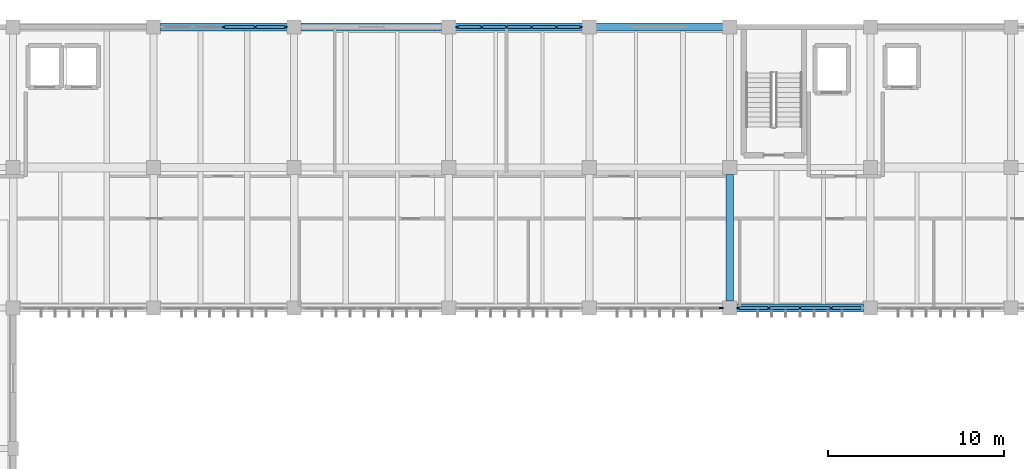
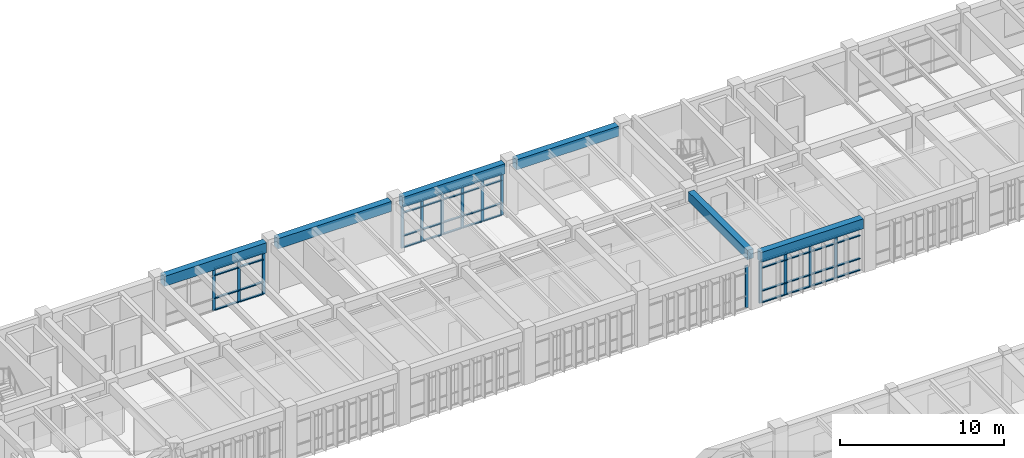
# One storey, part 20 of 67: 58 members, 6 beams, 4 elements without a shape of their own.
"""IFC4 building model written with IfcOpenShell, lengths in metres."""

from ifc_helpers import new_model, si_unit, direction, frame, origin, origin_2d, place, context, subcontext, project, spatial, rectangle, extrude, material, material_profile, profile_set, type_object, element, aggregate, save


model = new_model("IFC4")

# Units and contexts
model_context = context("Model", 3, precision=1e-05, world=origin(), true_north=direction((0.0, 1.0)))
body_context = subcontext(model_context, "Body", "Model", "MODEL_VIEW")
ifc_project = project(units=[si_unit("LENGTHUNIT", "METRE"), si_unit("AREAUNIT", "SQUARE_METRE"), si_unit("VOLUMEUNIT", "CUBIC_METRE"), si_unit("PLANEANGLEUNIT", "RADIAN"), si_unit("MASSUNIT", "GRAM", prefix="KILO")], contexts=[model_context])

# Site, building, storey
site_placement = place(None, origin())
site = spatial("IfcSite", under=ifc_project, at=site_placement, CompositionType="ELEMENT")
building_placement = place(site_placement, origin())
building = spatial("IfcBuilding", under=site, at=building_placement, Name="Tlaxcora Railside Police Headquarters", CompositionType="ELEMENT")
storey_placement = place(building_placement, frame((0.0, 0.0, 4.800048828125)))
storey = spatial("IfcBuildingStorey", under=building, at=storey_placement, Name="L01", CompositionType="ELEMENT", Elevation=4.800048828125)

# Curtain wall, member
ifc_material_1 = material(Name="Thermally broken low-E insulated glazing", Category="glass")
curtain_wall_type_1 = type_object("IfcCurtainWallType", Name="Unitised Curtain Wall Assembly CW-23", PredefinedType="NOTDEFINED", material=ifc_material_1)
curtain_wall_1_placement = place(storey_placement, origin())
curtain_wall_1 = element("IfcCurtainWall", 1, at=curtain_wall_1_placement, inside=storey, type_object=curtain_wall_type_1, Name="V5 L01 curtain wall 36", PredefinedType="NOTDEFINED")
ifc_material_2 = material(Name="Anodised aluminium framing", Category="aluminium")
ifc_material_profile_1 = material_profile(ifc_material_2, rectangle(XDim=0.080078125, YDim=0.219970703125, at=origin_2d()), Name="AL80X220")
ifc_profile_set_1 = profile_set([ifc_material_profile_1], Name="Anodised aluminium framing")
member_type_1 = type_object("IfcMemberType", Name="Curtain Wall Mullion CW-31", PredefinedType="MULLION", material=ifc_profile_set_1)
member_1_placement = place(storey_placement, frame((69.510009765625, 76.800048828125, 0.0), z_axis=(0.0, 0.0, 1.0), x_axis=(0.0, 1.0, 0.0)))
member_1 = element("IfcMember", 2, at=member_1_placement, type_object=member_type_1, Name="CW mullion 6", PredefinedType="MULLION", context=body_context, shape_type="SweptSolid", body=[
    extrude(rectangle(XDim=0.080078125, YDim=0.219970703125, at=origin_2d()), origin(), (0.0, 0.0, 1.0), 3.139892578125),
])
aggregate(curtain_wall_1, [member_1])

# Curtain wall, members
curtain_wall_type_2 = type_object("IfcCurtainWallType", Name="Unitised Curtain Wall Assembly CW-38", PredefinedType="NOTDEFINED", material=ifc_material_1)
curtain_wall_2_placement = place(storey_placement, origin())
curtain_wall_2 = element("IfcCurtainWall", 3, at=curtain_wall_2_placement, inside=storey, type_object=curtain_wall_type_2, Name="V5 L01 curtain wall 37", PredefinedType="NOTDEFINED")
ifc_material_profile_2 = material_profile(ifc_material_2, rectangle(XDim=0.074951171875, YDim=0.205078125, at=origin_2d()), Name="AL75X205")
ifc_profile_set_2 = profile_set([ifc_material_profile_2], Name="Anodised aluminium framing")
member_type_2 = type_object("IfcMemberType", Name="Curtain Wall Mullion CW-32", PredefinedType="MULLION", material=ifc_profile_set_2)
member_2_placement = place(storey_placement, frame((70.487548828125, 76.800048828125, 0.0), z_axis=(0.0, 0.0, 1.0), x_axis=(0.0, 1.0, 0.0)))
member_2 = element("IfcMember", 4, at=member_2_placement, type_object=member_type_2, Name="CW mullion 1", PredefinedType="MULLION", context=body_context, shape_type="SweptSolid", body=[
    extrude(rectangle(XDim=0.074951171875, YDim=0.205078125, at=origin_2d()), origin(), (0.0, 0.0, 1.0), 3.139892578125),
])
member_3_placement = place(storey_placement, frame((72.22509765625, 76.800048828125, 0.0), z_axis=(0.0, 0.0, 1.0), x_axis=(0.0, 1.0, 0.0)))
member_3 = element("IfcMember", 5, at=member_3_placement, type_object=member_type_2, Name="CW mullion 2", PredefinedType="MULLION", context=body_context, shape_type="SweptSolid", body=[
    extrude(rectangle(XDim=0.074951171875, YDim=0.205078125, at=origin_2d()), origin(), (0.0, 0.0, 1.0), 3.139892578125),
])
member_4_placement = place(storey_placement, frame((74.0, 76.800048828125, 0.0), z_axis=(0.0, 0.0, 1.0), x_axis=(0.0, 1.0, 0.0)))
member_4 = element("IfcMember", 6, at=member_4_placement, type_object=member_type_2, Name="CW mullion 3", PredefinedType="MULLION", context=body_context, shape_type="SweptSolid", body=[
    extrude(rectangle(XDim=0.074951171875, YDim=0.205078125, at=origin_2d()), origin(), (0.0, 0.0, 1.0), 3.139892578125),
])
member_5_placement = place(storey_placement, frame((75.77490234375, 76.800048828125, 0.0), z_axis=(0.0, 0.0, 1.0), x_axis=(0.0, 1.0, 0.0)))
member_5 = element("IfcMember", 7, at=member_5_placement, type_object=member_type_2, Name="CW mullion 4", PredefinedType="MULLION", context=body_context, shape_type="SweptSolid", body=[
    extrude(rectangle(XDim=0.074951171875, YDim=0.205078125, at=origin_2d()), origin(), (0.0, 0.0, 1.0), 3.139892578125),
])

curtain_wall_type_3 = type_object("IfcCurtainWallType", Name="Unitised Curtain Wall Assembly CW-15", PredefinedType="NOTDEFINED", material=ifc_material_1)
curtain_wall_3_placement = place(storey_placement, origin())
curtain_wall_3 = element("IfcCurtainWall", 8, at=curtain_wall_3_placement, inside=storey, type_object=curtain_wall_type_3, Name="V5 L01 curtain wall 42", PredefinedType="NOTDEFINED")
ifc_material_profile_3 = material_profile(ifc_material_2, rectangle(XDim=0.074951171875, YDim=0.199951171875, at=origin_2d()), Name="AL75X200")
ifc_profile_set_3 = profile_set([ifc_material_profile_3], Name="Anodised aluminium framing")
member_type_3 = type_object("IfcMemberType", Name="Curtain Wall Mullion CW-58", PredefinedType="MULLION", material=ifc_profile_set_3)
member_6_placement = place(storey_placement, frame((61.512451171875, 92.800048828125, 0.0), z_axis=(0.0, 0.0, 1.0), x_axis=(0.0, -1.0, 0.0)))
member_6 = element("IfcMember", 9, at=member_6_placement, type_object=member_type_3, Name="CW mullion 1", PredefinedType="MULLION", context=body_context, shape_type="SweptSolid", body=[
    extrude(rectangle(XDim=0.074951171875, YDim=0.199951171875, at=origin_2d()), origin(), (0.0, 0.0, 1.0), 3.139892578125),
])
member_7_placement = place(storey_placement, frame((60.1298828125, 92.800048828125, 0.0), z_axis=(0.0, 0.0, 1.0), x_axis=(0.0, -1.0, 0.0)))
member_7 = element("IfcMember", 10, at=member_7_placement, type_object=member_type_3, Name="CW mullion 2", PredefinedType="MULLION", context=body_context, shape_type="SweptSolid", body=[
    extrude(rectangle(XDim=0.074951171875, YDim=0.199951171875, at=origin_2d()), origin(), (0.0, 0.0, 1.0), 3.139892578125),
])
member_8_placement = place(storey_placement, frame((58.7099609375, 92.800048828125, 0.0), z_axis=(0.0, 0.0, 1.0), x_axis=(0.0, -1.0, 0.0)))
member_8 = element("IfcMember", 11, at=member_8_placement, type_object=member_type_3, Name="CW mullion 3", PredefinedType="MULLION", context=body_context, shape_type="SweptSolid", body=[
    extrude(rectangle(XDim=0.074951171875, YDim=0.199951171875, at=origin_2d()), origin(), (0.0, 0.0, 1.0), 3.139892578125),
])
member_9_placement = place(storey_placement, frame((57.2900390625, 92.800048828125, 0.0), z_axis=(0.0, 0.0, 1.0), x_axis=(0.0, -1.0, 0.0)))
member_9 = element("IfcMember", 12, at=member_9_placement, type_object=member_type_3, Name="CW mullion 4", PredefinedType="MULLION", context=body_context, shape_type="SweptSolid", body=[
    extrude(rectangle(XDim=0.074951171875, YDim=0.199951171875, at=origin_2d()), origin(), (0.0, 0.0, 1.0), 3.139892578125),
])
member_10_placement = place(storey_placement, frame((55.8701171875, 92.800048828125, 0.0), z_axis=(0.0, 0.0, 1.0), x_axis=(0.0, -1.0, 0.0)))
member_10 = element("IfcMember", 13, at=member_10_placement, type_object=member_type_3, Name="CW mullion 5", PredefinedType="MULLION", context=body_context, shape_type="SweptSolid", body=[
    extrude(rectangle(XDim=0.074951171875, YDim=0.199951171875, at=origin_2d()), origin(), (0.0, 0.0, 1.0), 3.139892578125),
])
member_11_placement = place(storey_placement, frame((54.487548828125, 92.800048828125, 0.0), z_axis=(0.0, 0.0, 1.0), x_axis=(0.0, -1.0, 0.0)))
member_11 = element("IfcMember", 14, at=member_11_placement, type_object=member_type_3, Name="CW mullion 6", PredefinedType="MULLION", context=body_context, shape_type="SweptSolid", body=[
    extrude(rectangle(XDim=0.074951171875, YDim=0.199951171875, at=origin_2d()), origin(), (0.0, 0.0, 1.0), 3.139892578125),
])

curtain_wall_type_4 = type_object("IfcCurtainWallType", Name="Unitised Curtain Wall Assembly CW-83", PredefinedType="NOTDEFINED", material=ifc_material_1)
curtain_wall_4_placement = place(storey_placement, origin())
curtain_wall_4 = element("IfcCurtainWall", 15, at=curtain_wall_4_placement, inside=storey, type_object=curtain_wall_type_4, Name="V5 L01 curtain wall 43", PredefinedType="NOTDEFINED")
ifc_material_profile_4 = material_profile(ifc_material_2, rectangle(XDim=0.080078125, YDim=0.2099609375, at=origin_2d()), Name="AL80X210")
ifc_profile_set_4 = profile_set([ifc_material_profile_4], Name="Anodised aluminium framing")
member_type_4 = type_object("IfcMemberType", Name="Curtain Wall Mullion CW-76", PredefinedType="MULLION", material=ifc_profile_set_4)
member_12_placement = place(storey_placement, frame((44.7099609375, 92.800048828125, 0.0), z_axis=(0.0, 0.0, 1.0), x_axis=(0.0, -1.0, 0.0)))
member_12 = element("IfcMember", 16, at=member_12_placement, type_object=member_type_4, Name="CW mullion 1", PredefinedType="MULLION", context=body_context, shape_type="SweptSolid", body=[
    extrude(rectangle(XDim=0.080078125, YDim=0.2099609375, at=origin_2d()), origin(), (0.0, 0.0, 1.0), 3.139892578125),
])
member_13_placement = place(storey_placement, frame((42.97509765625, 92.800048828125, 0.0), z_axis=(0.0, 0.0, 1.0), x_axis=(0.0, -1.0, 0.0)))
member_13 = element("IfcMember", 17, at=member_13_placement, type_object=member_type_4, Name="CW mullion 2", PredefinedType="MULLION", context=body_context, shape_type="SweptSolid", body=[
    extrude(rectangle(XDim=0.080078125, YDim=0.2099609375, at=origin_2d()), origin(), (0.0, 0.0, 1.0), 3.139892578125),
])
member_14_placement = place(storey_placement, frame((41.199951171875, 92.800048828125, 0.0), z_axis=(0.0, 0.0, 1.0), x_axis=(0.0, -1.0, 0.0)))
member_14 = element("IfcMember", 18, at=member_14_placement, type_object=member_type_4, Name="CW mullion 3", PredefinedType="MULLION", context=body_context, shape_type="SweptSolid", body=[
    extrude(rectangle(XDim=0.080078125, YDim=0.2099609375, at=origin_2d()), origin(), (0.0, 0.0, 1.0), 3.139892578125),
])

# Member
ifc_material_profile_5 = material_profile(ifc_material_2, rectangle(XDim=0.14990234375, YDim=0.074951171875, at=origin_2d()), Name="AL75X150")
ifc_profile_set_5 = profile_set([ifc_material_profile_5], Name="Anodised aluminium framing")
member_type_5 = type_object("IfcMemberType", Name="Curtain Wall Transom CW-28", PredefinedType="USERDEFINED", material=ifc_profile_set_5)
member_15_placement = place(storey_placement, frame((61.47509765625, 92.800048828125, 0.037353515625), z_axis=(-1.0, 0.0, 0.0), x_axis=(0.0, -1.0, 0.0)))
member_15 = element("IfcMember", 19, at=member_15_placement, type_object=member_type_5, Name="CW transom 1.1", ObjectType="TRANSOM", PredefinedType="USERDEFINED", context=body_context, shape_type="SweptSolid", body=[
    extrude(rectangle(XDim=0.14990234375, YDim=0.074951171875, at=origin_2d()), origin(), (0.0, 0.0, 1.0), 1.3076171875),
])

member_16_placement = place(storey_placement, frame((61.47509765625, 92.800048828125, 0.89990234375), z_axis=(-1.0, 0.0, 0.0), x_axis=(0.0, -1.0, 0.0)))
member_16 = element("IfcMember", 20, at=member_16_placement, type_object=member_type_5, Name="CW transom 1.2", ObjectType="TRANSOM", PredefinedType="USERDEFINED", context=body_context, shape_type="SweptSolid", body=[
    extrude(rectangle(XDim=0.14990234375, YDim=0.074951171875, at=origin_2d()), origin(), (0.0, 0.0, 1.0), 1.3076171875),
])

member_17_placement = place(storey_placement, frame((61.47509765625, 92.800048828125, 2.60986328125), z_axis=(-1.0, 0.0, 0.0), x_axis=(0.0, -1.0, 0.0)))
member_17 = element("IfcMember", 21, at=member_17_placement, type_object=member_type_5, Name="CW transom 1.3", ObjectType="TRANSOM", PredefinedType="USERDEFINED", context=body_context, shape_type="SweptSolid", body=[
    extrude(rectangle(XDim=0.14990234375, YDim=0.074951171875, at=origin_2d()), origin(), (0.0, 0.0, 1.0), 1.3076171875),
])

member_18_placement = place(storey_placement, frame((61.47509765625, 92.800048828125, 3.1025390625), z_axis=(-1.0, 0.0, 0.0), x_axis=(0.0, -1.0, 0.0)))
member_18 = element("IfcMember", 22, at=member_18_placement, type_object=member_type_5, Name="CW transom 1.4", ObjectType="TRANSOM", PredefinedType="USERDEFINED", context=body_context, shape_type="SweptSolid", body=[
    extrude(rectangle(XDim=0.14990234375, YDim=0.074951171875, at=origin_2d()), origin(), (0.0, 0.0, 1.0), 1.3076171875),
])

member_19_placement = place(storey_placement, frame((60.092529296875, 92.800048828125, 0.037353515625), z_axis=(-1.0, 0.0, 0.0), x_axis=(0.0, -1.0, 0.0)))
member_19 = element("IfcMember", 23, at=member_19_placement, type_object=member_type_5, Name="CW transom 2.1", ObjectType="TRANSOM", PredefinedType="USERDEFINED", context=body_context, shape_type="SweptSolid", body=[
    extrude(rectangle(XDim=0.14990234375, YDim=0.074951171875, at=origin_2d()), origin(), (0.0, 0.0, 1.0), 1.344970703125),
])

member_20_placement = place(storey_placement, frame((60.092529296875, 92.800048828125, 0.89990234375), z_axis=(-1.0, 0.0, 0.0), x_axis=(0.0, -1.0, 0.0)))
member_20 = element("IfcMember", 24, at=member_20_placement, type_object=member_type_5, Name="CW transom 2.2", ObjectType="TRANSOM", PredefinedType="USERDEFINED", context=body_context, shape_type="SweptSolid", body=[
    extrude(rectangle(XDim=0.14990234375, YDim=0.074951171875, at=origin_2d()), origin(), (0.0, 0.0, 1.0), 1.344970703125),
])

member_21_placement = place(storey_placement, frame((60.092529296875, 92.800048828125, 2.60986328125), z_axis=(-1.0, 0.0, 0.0), x_axis=(0.0, -1.0, 0.0)))
member_21 = element("IfcMember", 25, at=member_21_placement, type_object=member_type_5, Name="CW transom 2.3", ObjectType="TRANSOM", PredefinedType="USERDEFINED", context=body_context, shape_type="SweptSolid", body=[
    extrude(rectangle(XDim=0.14990234375, YDim=0.074951171875, at=origin_2d()), origin(), (0.0, 0.0, 1.0), 1.344970703125),
])

member_22_placement = place(storey_placement, frame((60.092529296875, 92.800048828125, 3.1025390625), z_axis=(-1.0, 0.0, 0.0), x_axis=(0.0, -1.0, 0.0)))
member_22 = element("IfcMember", 26, at=member_22_placement, type_object=member_type_5, Name="CW transom 2.4", ObjectType="TRANSOM", PredefinedType="USERDEFINED", context=body_context, shape_type="SweptSolid", body=[
    extrude(rectangle(XDim=0.14990234375, YDim=0.074951171875, at=origin_2d()), origin(), (0.0, 0.0, 1.0), 1.344970703125),
])

member_23_placement = place(storey_placement, frame((58.672607421875, 92.800048828125, 0.037353515625), z_axis=(-1.0, 0.0, 0.0), x_axis=(0.0, -1.0, 0.0)))
member_23 = element("IfcMember", 27, at=member_23_placement, type_object=member_type_5, Name="CW transom 3.1", ObjectType="TRANSOM", PredefinedType="USERDEFINED", context=body_context, shape_type="SweptSolid", body=[
    extrude(rectangle(XDim=0.14990234375, YDim=0.074951171875, at=origin_2d()), origin(), (0.0, 0.0, 1.0), 1.34521484375),
])

member_24_placement = place(storey_placement, frame((58.672607421875, 92.800048828125, 0.89990234375), z_axis=(-1.0, 0.0, 0.0), x_axis=(0.0, -1.0, 0.0)))
member_24 = element("IfcMember", 28, at=member_24_placement, type_object=member_type_5, Name="CW transom 3.2", ObjectType="TRANSOM", PredefinedType="USERDEFINED", context=body_context, shape_type="SweptSolid", body=[
    extrude(rectangle(XDim=0.14990234375, YDim=0.074951171875, at=origin_2d()), origin(), (0.0, 0.0, 1.0), 1.34521484375),
])

member_25_placement = place(storey_placement, frame((58.672607421875, 92.800048828125, 2.60986328125), z_axis=(-1.0, 0.0, 0.0), x_axis=(0.0, -1.0, 0.0)))
member_25 = element("IfcMember", 29, at=member_25_placement, type_object=member_type_5, Name="CW transom 3.3", ObjectType="TRANSOM", PredefinedType="USERDEFINED", context=body_context, shape_type="SweptSolid", body=[
    extrude(rectangle(XDim=0.14990234375, YDim=0.074951171875, at=origin_2d()), origin(), (0.0, 0.0, 1.0), 1.34521484375),
])

member_26_placement = place(storey_placement, frame((58.672607421875, 92.800048828125, 3.1025390625), z_axis=(-1.0, 0.0, 0.0), x_axis=(0.0, -1.0, 0.0)))
member_26 = element("IfcMember", 30, at=member_26_placement, type_object=member_type_5, Name="CW transom 3.4", ObjectType="TRANSOM", PredefinedType="USERDEFINED", context=body_context, shape_type="SweptSolid", body=[
    extrude(rectangle(XDim=0.14990234375, YDim=0.074951171875, at=origin_2d()), origin(), (0.0, 0.0, 1.0), 1.34521484375),
])

member_27_placement = place(storey_placement, frame((57.25244140625, 92.800048828125, 0.037353515625), z_axis=(-1.0, 0.0, 0.0), x_axis=(0.0, -1.0, 0.0)))
member_27 = element("IfcMember", 31, at=member_27_placement, type_object=member_type_5, Name="CW transom 4.1", ObjectType="TRANSOM", PredefinedType="USERDEFINED", context=body_context, shape_type="SweptSolid", body=[
    extrude(rectangle(XDim=0.14990234375, YDim=0.074951171875, at=origin_2d()), origin(), (0.0, 0.0, 1.0), 1.344970703125),
])

member_28_placement = place(storey_placement, frame((57.25244140625, 92.800048828125, 0.89990234375), z_axis=(-1.0, 0.0, 0.0), x_axis=(0.0, -1.0, 0.0)))
member_28 = element("IfcMember", 32, at=member_28_placement, type_object=member_type_5, Name="CW transom 4.2", ObjectType="TRANSOM", PredefinedType="USERDEFINED", context=body_context, shape_type="SweptSolid", body=[
    extrude(rectangle(XDim=0.14990234375, YDim=0.074951171875, at=origin_2d()), origin(), (0.0, 0.0, 1.0), 1.344970703125),
])

member_29_placement = place(storey_placement, frame((57.25244140625, 92.800048828125, 2.60986328125), z_axis=(-1.0, 0.0, 0.0), x_axis=(0.0, -1.0, 0.0)))
member_29 = element("IfcMember", 33, at=member_29_placement, type_object=member_type_5, Name="CW transom 4.3", ObjectType="TRANSOM", PredefinedType="USERDEFINED", context=body_context, shape_type="SweptSolid", body=[
    extrude(rectangle(XDim=0.14990234375, YDim=0.074951171875, at=origin_2d()), origin(), (0.0, 0.0, 1.0), 1.344970703125),
])

member_30_placement = place(storey_placement, frame((57.25244140625, 92.800048828125, 3.1025390625), z_axis=(-1.0, 0.0, 0.0), x_axis=(0.0, -1.0, 0.0)))
member_30 = element("IfcMember", 34, at=member_30_placement, type_object=member_type_5, Name="CW transom 4.4", ObjectType="TRANSOM", PredefinedType="USERDEFINED", context=body_context, shape_type="SweptSolid", body=[
    extrude(rectangle(XDim=0.14990234375, YDim=0.074951171875, at=origin_2d()), origin(), (0.0, 0.0, 1.0), 1.344970703125),
])

member_31_placement = place(storey_placement, frame((55.83251953125, 92.800048828125, 0.037353515625), z_axis=(-1.0, 0.0, 0.0), x_axis=(0.0, -1.0, 0.0)))
member_31 = element("IfcMember", 35, at=member_31_placement, type_object=member_type_5, Name="CW transom 5.1", ObjectType="TRANSOM", PredefinedType="USERDEFINED", context=body_context, shape_type="SweptSolid", body=[
    extrude(rectangle(XDim=0.14990234375, YDim=0.074951171875, at=origin_2d()), origin(), (0.0, 0.0, 1.0), 1.3076171875),
])

member_32_placement = place(storey_placement, frame((55.83251953125, 92.800048828125, 0.89990234375), z_axis=(-1.0, 0.0, 0.0), x_axis=(0.0, -1.0, 0.0)))
member_32 = element("IfcMember", 36, at=member_32_placement, type_object=member_type_5, Name="CW transom 5.2", ObjectType="TRANSOM", PredefinedType="USERDEFINED", context=body_context, shape_type="SweptSolid", body=[
    extrude(rectangle(XDim=0.14990234375, YDim=0.074951171875, at=origin_2d()), origin(), (0.0, 0.0, 1.0), 1.3076171875),
])

member_33_placement = place(storey_placement, frame((55.83251953125, 92.800048828125, 2.60986328125), z_axis=(-1.0, 0.0, 0.0), x_axis=(0.0, -1.0, 0.0)))
member_33 = element("IfcMember", 37, at=member_33_placement, type_object=member_type_5, Name="CW transom 5.3", ObjectType="TRANSOM", PredefinedType="USERDEFINED", context=body_context, shape_type="SweptSolid", body=[
    extrude(rectangle(XDim=0.14990234375, YDim=0.074951171875, at=origin_2d()), origin(), (0.0, 0.0, 1.0), 1.3076171875),
])

member_34_placement = place(storey_placement, frame((55.83251953125, 92.800048828125, 3.1025390625), z_axis=(-1.0, 0.0, 0.0), x_axis=(0.0, -1.0, 0.0)))
member_34 = element("IfcMember", 38, at=member_34_placement, type_object=member_type_5, Name="CW transom 5.4", ObjectType="TRANSOM", PredefinedType="USERDEFINED", context=body_context, shape_type="SweptSolid", body=[
    extrude(rectangle(XDim=0.14990234375, YDim=0.074951171875, at=origin_2d()), origin(), (0.0, 0.0, 1.0), 1.3076171875),
])

aggregate(curtain_wall_3, [member_6, member_7, member_8, member_9, member_10, member_11, member_15, member_16, member_17, member_18, member_19, member_20, member_21, member_22, member_23, member_24, member_25, member_26, member_27, member_28, member_29, member_30, member_31, member_32, member_33, member_34])

ifc_material_profile_6 = material_profile(ifc_material_2, rectangle(XDim=0.155029296875, YDim=0.074951171875, at=origin_2d()), Name="AL75X155")
ifc_profile_set_6 = profile_set([ifc_material_profile_6], Name="Anodised aluminium framing")
member_type_6 = type_object("IfcMemberType", Name="Curtain Wall Transom CW-30", PredefinedType="USERDEFINED", material=ifc_profile_set_6)
member_35_placement = place(storey_placement, frame((70.52490234375, 76.800048828125, 0.037353515625), z_axis=(1.0, 0.0, 0.0), x_axis=(0.0, 1.0, 0.0)))
member_35 = element("IfcMember", 39, at=member_35_placement, type_object=member_type_6, Name="CW transom 1.1", ObjectType="TRANSOM", PredefinedType="USERDEFINED", context=body_context, shape_type="SweptSolid", body=[
    extrude(rectangle(XDim=0.155029296875, YDim=0.074951171875, at=origin_2d()), origin(), (0.0, 0.0, 1.0), 1.66259765625),
])

member_36_placement = place(storey_placement, frame((70.52490234375, 76.800048828125, 0.89990234375), z_axis=(1.0, 0.0, 0.0), x_axis=(0.0, 1.0, 0.0)))
member_36 = element("IfcMember", 40, at=member_36_placement, type_object=member_type_6, Name="CW transom 1.2", ObjectType="TRANSOM", PredefinedType="USERDEFINED", context=body_context, shape_type="SweptSolid", body=[
    extrude(rectangle(XDim=0.155029296875, YDim=0.074951171875, at=origin_2d()), origin(), (0.0, 0.0, 1.0), 1.66259765625),
])

member_37_placement = place(storey_placement, frame((70.52490234375, 76.800048828125, 2.60986328125), z_axis=(1.0, 0.0, 0.0), x_axis=(0.0, 1.0, 0.0)))
member_37 = element("IfcMember", 41, at=member_37_placement, type_object=member_type_6, Name="CW transom 1.3", ObjectType="TRANSOM", PredefinedType="USERDEFINED", context=body_context, shape_type="SweptSolid", body=[
    extrude(rectangle(XDim=0.155029296875, YDim=0.074951171875, at=origin_2d()), origin(), (0.0, 0.0, 1.0), 1.66259765625),
])

member_38_placement = place(storey_placement, frame((70.52490234375, 76.800048828125, 3.1025390625), z_axis=(1.0, 0.0, 0.0), x_axis=(0.0, 1.0, 0.0)))
member_38 = element("IfcMember", 42, at=member_38_placement, type_object=member_type_6, Name="CW transom 1.4", ObjectType="TRANSOM", PredefinedType="USERDEFINED", context=body_context, shape_type="SweptSolid", body=[
    extrude(rectangle(XDim=0.155029296875, YDim=0.074951171875, at=origin_2d()), origin(), (0.0, 0.0, 1.0), 1.66259765625),
])

member_39_placement = place(storey_placement, frame((72.262451171875, 76.800048828125, 0.037353515625), z_axis=(1.0, 0.0, 0.0), x_axis=(0.0, 1.0, 0.0)))
member_39 = element("IfcMember", 43, at=member_39_placement, type_object=member_type_6, Name="CW transom 2.1", ObjectType="TRANSOM", PredefinedType="USERDEFINED", context=body_context, shape_type="SweptSolid", body=[
    extrude(rectangle(XDim=0.155029296875, YDim=0.074951171875, at=origin_2d()), origin(), (0.0, 0.0, 1.0), 1.699951171875),
])

member_40_placement = place(storey_placement, frame((72.262451171875, 76.800048828125, 0.89990234375), z_axis=(1.0, 0.0, 0.0), x_axis=(0.0, 1.0, 0.0)))
member_40 = element("IfcMember", 44, at=member_40_placement, type_object=member_type_6, Name="CW transom 2.2", ObjectType="TRANSOM", PredefinedType="USERDEFINED", context=body_context, shape_type="SweptSolid", body=[
    extrude(rectangle(XDim=0.155029296875, YDim=0.074951171875, at=origin_2d()), origin(), (0.0, 0.0, 1.0), 1.699951171875),
])

member_41_placement = place(storey_placement, frame((72.262451171875, 76.800048828125, 2.60986328125), z_axis=(1.0, 0.0, 0.0), x_axis=(0.0, 1.0, 0.0)))
member_41 = element("IfcMember", 45, at=member_41_placement, type_object=member_type_6, Name="CW transom 2.3", ObjectType="TRANSOM", PredefinedType="USERDEFINED", context=body_context, shape_type="SweptSolid", body=[
    extrude(rectangle(XDim=0.155029296875, YDim=0.074951171875, at=origin_2d()), origin(), (0.0, 0.0, 1.0), 1.699951171875),
])

member_42_placement = place(storey_placement, frame((72.262451171875, 76.800048828125, 3.1025390625), z_axis=(1.0, 0.0, 0.0), x_axis=(0.0, 1.0, 0.0)))
member_42 = element("IfcMember", 46, at=member_42_placement, type_object=member_type_6, Name="CW transom 2.4", ObjectType="TRANSOM", PredefinedType="USERDEFINED", context=body_context, shape_type="SweptSolid", body=[
    extrude(rectangle(XDim=0.155029296875, YDim=0.074951171875, at=origin_2d()), origin(), (0.0, 0.0, 1.0), 1.699951171875),
])

member_43_placement = place(storey_placement, frame((74.03759765625, 76.800048828125, 0.037353515625), z_axis=(1.0, 0.0, 0.0), x_axis=(0.0, 1.0, 0.0)))
member_43 = element("IfcMember", 47, at=member_43_placement, type_object=member_type_6, Name="CW transom 3.1", ObjectType="TRANSOM", PredefinedType="USERDEFINED", context=body_context, shape_type="SweptSolid", body=[
    extrude(rectangle(XDim=0.155029296875, YDim=0.074951171875, at=origin_2d()), origin(), (0.0, 0.0, 1.0), 1.699951171875),
])

member_44_placement = place(storey_placement, frame((74.03759765625, 76.800048828125, 0.89990234375), z_axis=(1.0, 0.0, 0.0), x_axis=(0.0, 1.0, 0.0)))
member_44 = element("IfcMember", 48, at=member_44_placement, type_object=member_type_6, Name="CW transom 3.2", ObjectType="TRANSOM", PredefinedType="USERDEFINED", context=body_context, shape_type="SweptSolid", body=[
    extrude(rectangle(XDim=0.155029296875, YDim=0.074951171875, at=origin_2d()), origin(), (0.0, 0.0, 1.0), 1.699951171875),
])

member_45_placement = place(storey_placement, frame((74.03759765625, 76.800048828125, 2.60986328125), z_axis=(1.0, 0.0, 0.0), x_axis=(0.0, 1.0, 0.0)))
member_45 = element("IfcMember", 49, at=member_45_placement, type_object=member_type_6, Name="CW transom 3.3", ObjectType="TRANSOM", PredefinedType="USERDEFINED", context=body_context, shape_type="SweptSolid", body=[
    extrude(rectangle(XDim=0.155029296875, YDim=0.074951171875, at=origin_2d()), origin(), (0.0, 0.0, 1.0), 1.699951171875),
])

member_46_placement = place(storey_placement, frame((74.03759765625, 76.800048828125, 3.1025390625), z_axis=(1.0, 0.0, 0.0), x_axis=(0.0, 1.0, 0.0)))
member_46 = element("IfcMember", 50, at=member_46_placement, type_object=member_type_6, Name="CW transom 3.4", ObjectType="TRANSOM", PredefinedType="USERDEFINED", context=body_context, shape_type="SweptSolid", body=[
    extrude(rectangle(XDim=0.155029296875, YDim=0.074951171875, at=origin_2d()), origin(), (0.0, 0.0, 1.0), 1.699951171875),
])

member_47_placement = place(storey_placement, frame((75.8125, 76.800048828125, 0.037353515625), z_axis=(1.0, 0.0, 0.0), x_axis=(0.0, 1.0, 0.0)))
member_47 = element("IfcMember", 51, at=member_47_placement, type_object=member_type_6, Name="CW transom 4.1", ObjectType="TRANSOM", PredefinedType="USERDEFINED", context=body_context, shape_type="SweptSolid", body=[
    extrude(rectangle(XDim=0.155029296875, YDim=0.074951171875, at=origin_2d()), origin(), (0.0, 0.0, 1.0), 1.66259765625),
])

member_48_placement = place(storey_placement, frame((75.8125, 76.800048828125, 0.89990234375), z_axis=(1.0, 0.0, 0.0), x_axis=(0.0, 1.0, 0.0)))
member_48 = element("IfcMember", 52, at=member_48_placement, type_object=member_type_6, Name="CW transom 4.2", ObjectType="TRANSOM", PredefinedType="USERDEFINED", context=body_context, shape_type="SweptSolid", body=[
    extrude(rectangle(XDim=0.155029296875, YDim=0.074951171875, at=origin_2d()), origin(), (0.0, 0.0, 1.0), 1.66259765625),
])

member_49_placement = place(storey_placement, frame((75.8125, 76.800048828125, 2.60986328125), z_axis=(1.0, 0.0, 0.0), x_axis=(0.0, 1.0, 0.0)))
member_49 = element("IfcMember", 53, at=member_49_placement, type_object=member_type_6, Name="CW transom 4.3", ObjectType="TRANSOM", PredefinedType="USERDEFINED", context=body_context, shape_type="SweptSolid", body=[
    extrude(rectangle(XDim=0.155029296875, YDim=0.074951171875, at=origin_2d()), origin(), (0.0, 0.0, 1.0), 1.66259765625),
])

member_50_placement = place(storey_placement, frame((75.8125, 76.800048828125, 3.1025390625), z_axis=(1.0, 0.0, 0.0), x_axis=(0.0, 1.0, 0.0)))
member_50 = element("IfcMember", 54, at=member_50_placement, type_object=member_type_6, Name="CW transom 4.4", ObjectType="TRANSOM", PredefinedType="USERDEFINED", context=body_context, shape_type="SweptSolid", body=[
    extrude(rectangle(XDim=0.155029296875, YDim=0.074951171875, at=origin_2d()), origin(), (0.0, 0.0, 1.0), 1.66259765625),
])

aggregate(curtain_wall_2, [member_2, member_3, member_4, member_5, member_35, member_36, member_37, member_38, member_39, member_40, member_41, member_42, member_43, member_44, member_45, member_46, member_47, member_48, member_49, member_50])

ifc_material_profile_7 = material_profile(ifc_material_2, rectangle(XDim=0.159912109375, YDim=0.080078125, at=origin_2d()), Name="AL80X160")
ifc_profile_set_7 = profile_set([ifc_material_profile_7], Name="Anodised aluminium framing")
member_type_7 = type_object("IfcMemberType", Name="Curtain Wall Transom CW-82", PredefinedType="USERDEFINED", material=ifc_profile_set_7)
member_51_placement = place(storey_placement, frame((44.669921875, 92.800048828125, 0.0400390625), z_axis=(-1.0, 0.0, 0.0), x_axis=(0.0, -1.0, 0.0)))
member_51 = element("IfcMember", 55, at=member_51_placement, type_object=member_type_7, Name="CW transom 1.1", ObjectType="TRANSOM", PredefinedType="USERDEFINED", context=body_context, shape_type="SweptSolid", body=[
    extrude(rectangle(XDim=0.159912109375, YDim=0.080078125, at=origin_2d()), origin(), (0.0, 0.0, 1.0), 1.655029296875),
])

member_52_placement = place(storey_placement, frame((44.669921875, 92.800048828125, 0.89990234375), z_axis=(-1.0, 0.0, 0.0), x_axis=(0.0, -1.0, 0.0)))
member_52 = element("IfcMember", 56, at=member_52_placement, type_object=member_type_7, Name="CW transom 1.2", ObjectType="TRANSOM", PredefinedType="USERDEFINED", context=body_context, shape_type="SweptSolid", body=[
    extrude(rectangle(XDim=0.159912109375, YDim=0.080078125, at=origin_2d()), origin(), (0.0, 0.0, 1.0), 1.655029296875),
])

member_53_placement = place(storey_placement, frame((44.669921875, 92.800048828125, 2.60986328125), z_axis=(-1.0, 0.0, 0.0), x_axis=(0.0, -1.0, 0.0)))
member_53 = element("IfcMember", 57, at=member_53_placement, type_object=member_type_7, Name="CW transom 1.3", ObjectType="TRANSOM", PredefinedType="USERDEFINED", context=body_context, shape_type="SweptSolid", body=[
    extrude(rectangle(XDim=0.159912109375, YDim=0.080078125, at=origin_2d()), origin(), (0.0, 0.0, 1.0), 1.655029296875),
])

member_54_placement = place(storey_placement, frame((44.669921875, 92.800048828125, 3.099853515625), z_axis=(-1.0, 0.0, 0.0), x_axis=(0.0, -1.0, 0.0)))
member_54 = element("IfcMember", 58, at=member_54_placement, type_object=member_type_7, Name="CW transom 1.4", ObjectType="TRANSOM", PredefinedType="USERDEFINED", context=body_context, shape_type="SweptSolid", body=[
    extrude(rectangle(XDim=0.159912109375, YDim=0.080078125, at=origin_2d()), origin(), (0.0, 0.0, 1.0), 1.655029296875),
])

member_55_placement = place(storey_placement, frame((42.93505859375, 92.800048828125, 0.0400390625), z_axis=(-1.0, 0.0, 0.0), x_axis=(0.0, -1.0, 0.0)))
member_55 = element("IfcMember", 59, at=member_55_placement, type_object=member_type_7, Name="CW transom 2.1", ObjectType="TRANSOM", PredefinedType="USERDEFINED", context=body_context, shape_type="SweptSolid", body=[
    extrude(rectangle(XDim=0.159912109375, YDim=0.080078125, at=origin_2d()), origin(), (0.0, 0.0, 1.0), 1.695068359375),
])

member_56_placement = place(storey_placement, frame((42.93505859375, 92.800048828125, 0.89990234375), z_axis=(-1.0, 0.0, 0.0), x_axis=(0.0, -1.0, 0.0)))
member_56 = element("IfcMember", 60, at=member_56_placement, type_object=member_type_7, Name="CW transom 2.2", ObjectType="TRANSOM", PredefinedType="USERDEFINED", context=body_context, shape_type="SweptSolid", body=[
    extrude(rectangle(XDim=0.159912109375, YDim=0.080078125, at=origin_2d()), origin(), (0.0, 0.0, 1.0), 1.695068359375),
])

member_57_placement = place(storey_placement, frame((42.93505859375, 92.800048828125, 2.60986328125), z_axis=(-1.0, 0.0, 0.0), x_axis=(0.0, -1.0, 0.0)))
member_57 = element("IfcMember", 61, at=member_57_placement, type_object=member_type_7, Name="CW transom 2.3", ObjectType="TRANSOM", PredefinedType="USERDEFINED", context=body_context, shape_type="SweptSolid", body=[
    extrude(rectangle(XDim=0.159912109375, YDim=0.080078125, at=origin_2d()), origin(), (0.0, 0.0, 1.0), 1.695068359375),
])

member_58_placement = place(storey_placement, frame((42.93505859375, 92.800048828125, 3.099853515625), z_axis=(-1.0, 0.0, 0.0), x_axis=(0.0, -1.0, 0.0)))
member_58 = element("IfcMember", 62, at=member_58_placement, type_object=member_type_7, Name="CW transom 2.4", ObjectType="TRANSOM", PredefinedType="USERDEFINED", context=body_context, shape_type="SweptSolid", body=[
    extrude(rectangle(XDim=0.159912109375, YDim=0.080078125, at=origin_2d()), origin(), (0.0, 0.0, 1.0), 1.695068359375),
])

aggregate(curtain_wall_4, [member_12, member_13, member_14, member_51, member_52, member_53, member_54, member_55, member_56, member_57, member_58])

# Beams
ifc_material_3 = material(Name="Concrete C40/50", Category="concrete")
ifc_material_profile_8 = material_profile(ifc_material_3, rectangle(XDim=0.449951171875, YDim=0.75, at=origin_2d()), Name="RC450X750")
ifc_profile_set_8 = profile_set([ifc_material_profile_8], Name="Concrete C40/50")
beam_type_1 = type_object("IfcBeamType", Name="Perimeter Spandrel Beam BM-86", PredefinedType="SPANDREL", material=ifc_profile_set_8)
beam_1_placement = place(storey_placement, frame((70.389892578125, 76.800048828125, 3.534912109375), z_axis=(1.0, 0.0, 0.0), x_axis=(0.0, 1.0, 0.0)))
element("IfcBeam", 63, at=beam_1_placement, inside=storey, type_object=beam_type_1, Name="V5 L01 X-girder Y=76.8", PredefinedType="SPANDREL", context=body_context, shape_type="SweptSolid", body=[
    extrude(rectangle(XDim=0.449951171875, YDim=0.75, at=origin_2d()), origin(), (0.0, 0.0, 1.0), 7.22021484375),
])
beam_2_placement = place(storey_placement, frame((37.590087890625, 92.800048828125, 3.534912109375), z_axis=(1.0, 0.0, 0.0), x_axis=(0.0, 1.0, 0.0)))
element("IfcBeam", 64, at=beam_2_placement, inside=storey, type_object=beam_type_1, Name="V5 L01 X-girder Y=92.8", PredefinedType="SPANDREL", context=body_context, shape_type="SweptSolid", body=[
    extrude(rectangle(XDim=0.449951171875, YDim=0.75, at=origin_2d()), origin(), (0.0, 0.0, 1.0), 7.219970703125),
])
beam_3_placement = place(storey_placement, frame((45.590087890625, 92.800048828125, 3.534912109375), z_axis=(1.0, 0.0, 0.0), x_axis=(0.0, 1.0, 0.0)))
element("IfcBeam", 65, at=beam_3_placement, inside=storey, type_object=beam_type_1, Name="V5 L01 X-girder Y=92.8", PredefinedType="SPANDREL", context=body_context, shape_type="SweptSolid", body=[
    extrude(rectangle(XDim=0.449951171875, YDim=0.75, at=origin_2d()), origin(), (0.0, 0.0, 1.0), 8.02001953125),
])
for number, where, z_axis, x_axis, name in (
    (66, (54.389892578125, 92.800048828125, 3.534912109375), (1.0, 0.0, 0.0), (0.0, 1.0, 0.0), "V5 L01 X-girder Y=92.8"),
    (67, (62.389892578125, 92.800048828125, 3.534912109375), (1.0, 0.0, 0.0), (0.0, 1.0, 0.0), "V5 L01 X-girder Y=92.8"),
):
    element("IfcBeam", number, at=place(storey_placement, frame(where, z_axis=z_axis, x_axis=x_axis)), inside=storey, type_object=beam_type_1, Name=name, PredefinedType="SPANDREL", context=body_context, shape_type="SweptSolid", body=[
        extrude(rectangle(XDim=0.449951171875, YDim=0.75, at=origin_2d()), origin(), (0.0, 0.0, 1.0), 7.22021484375),
    ])
ifc_material_profile_9 = material_profile(ifc_material_3, rectangle(XDim=0.419921875, YDim=0.699951171875, at=origin_2d()), Name="RC420X700")
ifc_profile_set_9 = profile_set([ifc_material_profile_9], Name="Concrete C40/50")
beam_type_2 = type_object("IfcBeamType", Name="Primary Frame Girder BM-35", PredefinedType="BEAM", material=ifc_profile_set_9)
beam_4_placement = place(storey_placement, frame((70.0, 77.18994140625, 3.56005859375), z_axis=(0.0, 1.0, 0.0), x_axis=(-1.0, 0.0, 0.0)))
element("IfcBeam", 68, at=beam_4_placement, inside=storey, type_object=beam_type_2, Name="V5 L01 Y-girder X=70.0", PredefinedType="BEAM", context=body_context, shape_type="SweptSolid", body=[
    extrude(rectangle(XDim=0.419921875, YDim=0.699951171875, at=origin_2d()), origin(), (0.0, 0.0, 1.0), 7.219970703125),
])

save(model, "model.ifc")
